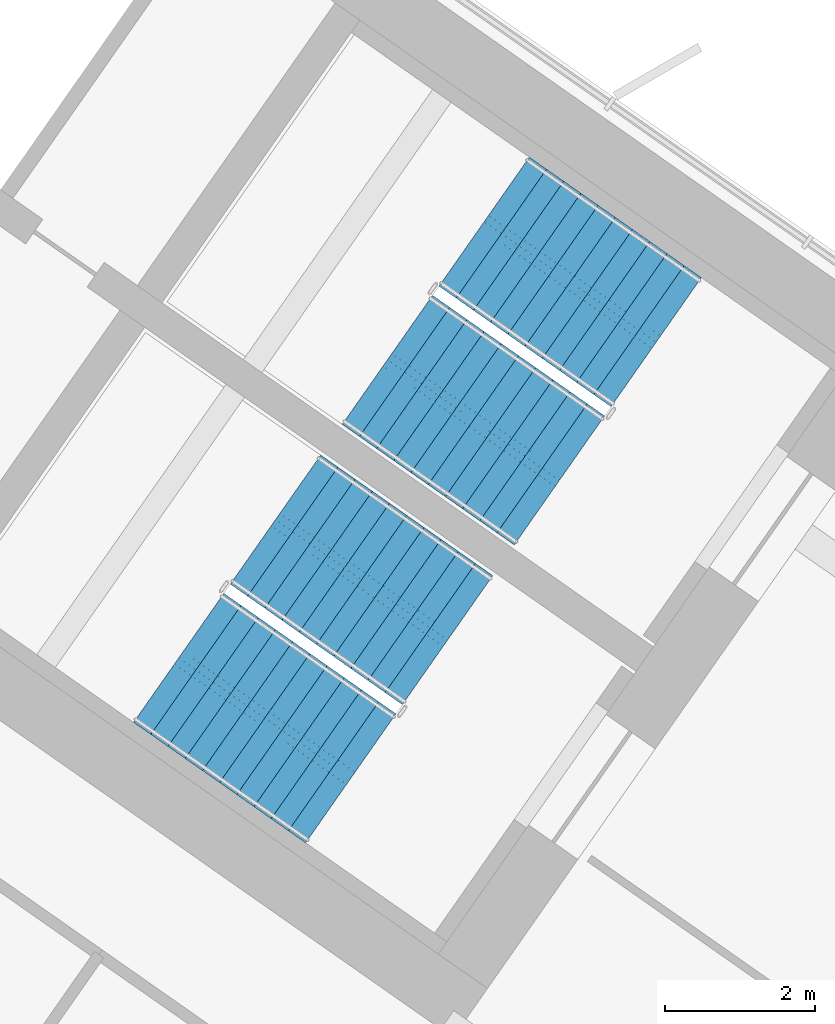
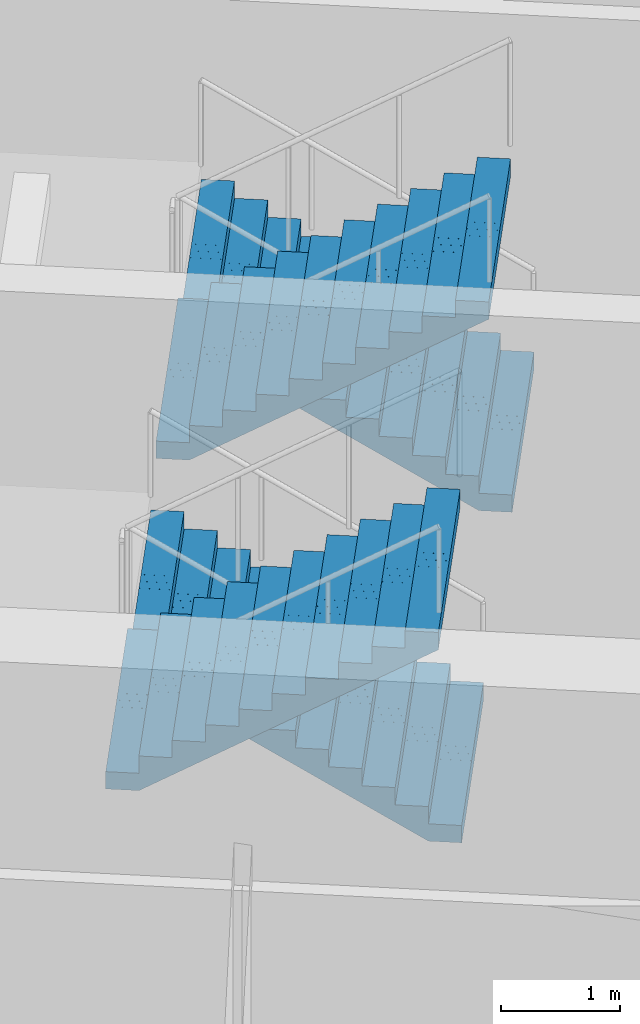
# One storey, part 16 of 21: 4 stair flights, 2 elements without a shape of their own.
"""IFC4 building model written with IfcOpenShell, lengths in metres."""

from ifc_helpers import new_model, si_unit, direction, frame, origin, place, context, subcontext, project, spatial, polyline, outline, extrude, material, type_object, element, aggregate, save


model = new_model("IFC4")

# Units and contexts
model_context = context("Model", 3, precision=1e-05, world=origin(), true_north=direction((0.0, 1.0)))
body_context = subcontext(model_context, "Body", "Model", "MODEL_VIEW")
ifc_project = project(units=[si_unit("LENGTHUNIT", "METRE"), si_unit("AREAUNIT", "SQUARE_METRE"), si_unit("VOLUMEUNIT", "CUBIC_METRE"), si_unit("PLANEANGLEUNIT", "RADIAN"), si_unit("MASSUNIT", "GRAM", prefix="KILO")], contexts=[model_context])

# Site, building, storey
site_placement = place(None, origin())
site = spatial("IfcSite", under=ifc_project, at=site_placement, CompositionType="ELEMENT")
building_placement = place(site_placement, origin())
building = spatial("IfcBuilding", under=site, at=building_placement, Name="Tel Ilan Convention Tower", CompositionType="ELEMENT")
storey_placement = place(building_placement, frame((0.0, 0.0, 139.800048828125)))
storey = spatial("IfcBuildingStorey", under=building, at=storey_placement, Name="L31", CompositionType="ELEMENT", Elevation=139.800048828125)

# Stair, stair flights
ifc_material_1 = material(Name="Concrete C40/50", Category="concrete")
stair_type = type_object("IfcStairType", Name="Pressurised Exit Stair 22 risers 177 mm", PredefinedType="HALF_TURN_STAIR", material=ifc_material_1)
stair_1_placement = place(storey_placement, origin())
stair_1 = element("IfcStair", 1, at=stair_1_placement, inside=storey, type_object=stair_type, Name="L31 Pressurised Stair S3", PredefinedType="HALF_TURN_STAIR")
ifc_material_2 = material(Name="Precast Concrete C40/50", Category="concrete")
stair_flight_type = type_object("IfcStairFlightType", Name="Concrete Stair Flight 2100 mm 22 risers 177 mm", PredefinedType="STRAIGHT", material=ifc_material_2)
stair_flight_1_placement = place(storey_placement, frame((24.25244140625, -7.032470703125, 0.0), z_axis=(0.0, 0.0, 1.0), x_axis=(-0.819152044289, 0.573576436351, 0.0)))
stair_flight_1 = element("IfcStairFlight", 2, at=stair_flight_1_placement, type_object=stair_flight_type, Name="S3 flight 1", NumberOfRisers=11, NumberOfTreads=10, PredefinedType="STRAIGHT", RiserHeight=0.177272727, TreadLength=0.28, context=body_context, shape_type="SweptSolid", body=[
    extrude(outline(polyline([(0.0, 0.0), (0.0, 0.17724609375), (0.280029296875, 0.17724609375), (0.280029296875, 0.3544921875), (0.56005859375, 0.3544921875), (0.56005859375, 0.53173828125), (0.840087890625, 0.53173828125), (0.840087890625, 0.708984375), (1.1201171875, 0.708984375), (1.1201171875, 0.886474609375), (1.39990234375, 0.886474609375), (1.39990234375, 1.063720703125), (1.679931640625, 1.063720703125), (1.679931640625, 1.240966796875), (1.9599609375, 1.240966796875), (1.9599609375, 1.418212890625), (2.239990234375, 1.418212890625), (2.239990234375, 1.595458984375), (2.52001953125, 1.595458984375), (2.52001953125, 1.772705078125), (2.800048828125, 1.772705078125), (2.800048828125, 1.949951171875), (2.800048828125, 1.59521484375), (0.2802734375, 0.0), (0.0, 0.0)])), frame((0.0, -0.100341796875, 0.0), z_axis=(0.0, -1.0, 0.0), x_axis=(1.0, 0.0, 0.0)), (0.0, 0.0, 1.0), 0.94970703125),
    extrude(outline(polyline([(0.0, 0.0), (0.0, 0.17724609375), (0.280029296875, 0.17724609375), (0.280029296875, 0.3544921875), (0.56005859375, 0.3544921875), (0.56005859375, 0.53173828125), (0.840087890625, 0.53173828125), (0.840087890625, 0.708984375), (1.1201171875, 0.708984375), (1.1201171875, 0.886474609375), (1.39990234375, 0.886474609375), (1.39990234375, 1.063720703125), (1.679931640625, 1.063720703125), (1.679931640625, 1.240966796875), (1.9599609375, 1.240966796875), (1.9599609375, 1.418212890625), (2.239990234375, 1.418212890625), (2.239990234375, 1.595458984375), (2.52001953125, 1.595458984375), (2.52001953125, 1.772705078125), (2.800048828125, 1.772705078125), (2.800048828125, 1.949951171875), (2.800048828125, 1.59521484375), (0.2802734375, 0.0), (0.0, 0.0)])), frame((0.0, -0.000244140625, 0.0), z_axis=(0.0, -1.0, 0.0), x_axis=(1.0, 0.0, 0.0)), (0.0, 0.0, 1.0), 0.099609375),
    extrude(outline(polyline([(0.0, 0.0), (0.0, 0.17724609375), (0.280029296875, 0.17724609375), (0.280029296875, 0.3544921875), (0.56005859375, 0.3544921875), (0.56005859375, 0.53173828125), (0.840087890625, 0.53173828125), (0.840087890625, 0.708984375), (1.1201171875, 0.708984375), (1.1201171875, 0.886474609375), (1.39990234375, 0.886474609375), (1.39990234375, 1.063720703125), (1.679931640625, 1.063720703125), (1.679931640625, 1.240966796875), (1.9599609375, 1.240966796875), (1.9599609375, 1.418212890625), (2.239990234375, 1.418212890625), (2.239990234375, 1.595458984375), (2.52001953125, 1.595458984375), (2.52001953125, 1.772705078125), (2.800048828125, 1.772705078125), (2.800048828125, 1.949951171875), (2.800048828125, 1.59521484375), (0.2802734375, 0.0), (0.0, 0.0)])), frame((0.0, 0.099853515625, 0.0), z_axis=(0.0, -1.0, 0.0), x_axis=(1.0, 0.0, 0.0)), (0.0, 0.0, 1.0), 0.099609375),
    extrude(outline(polyline([(0.0, 0.0), (0.0, 0.17724609375), (0.280029296875, 0.17724609375), (0.280029296875, 0.3544921875), (0.56005859375, 0.3544921875), (0.56005859375, 0.53173828125), (0.840087890625, 0.53173828125), (0.840087890625, 0.708984375), (1.1201171875, 0.708984375), (1.1201171875, 0.886474609375), (1.39990234375, 0.886474609375), (1.39990234375, 1.063720703125), (1.679931640625, 1.063720703125), (1.679931640625, 1.240966796875), (1.9599609375, 1.240966796875), (1.9599609375, 1.418212890625), (2.239990234375, 1.418212890625), (2.239990234375, 1.595458984375), (2.52001953125, 1.595458984375), (2.52001953125, 1.772705078125), (2.800048828125, 1.772705078125), (2.800048828125, 1.949951171875), (2.800048828125, 1.59521484375), (0.2802734375, 0.0), (0.0, 0.0)])), frame((0.0, 1.050048828125, 0.0), z_axis=(0.0, -1.0, 0.0), x_axis=(1.0, 0.0, 0.0)), (0.0, 0.0, 1.0), 0.94970703125),
])
stair_flight_2_placement = place(storey_placement, frame((20.668212890625, -7.26953125, 1.949951171875), z_axis=(0.0, 0.0, 1.0), x_axis=(0.819152044289, -0.573576436351, 0.0)))
stair_flight_2 = element("IfcStairFlight", 3, at=stair_flight_2_placement, type_object=stair_flight_type, Name="S3 flight 2", NumberOfRisers=11, NumberOfTreads=10, PredefinedType="STRAIGHT", RiserHeight=0.177272727, TreadLength=0.28, context=body_context, shape_type="SweptSolid", body=[
    extrude(outline(polyline([(0.0, 0.0), (0.0, 0.17724609375), (0.280029296875, 0.17724609375), (0.280029296875, 0.3544921875), (0.56005859375, 0.3544921875), (0.56005859375, 0.53173828125), (0.840087890625, 0.53173828125), (0.840087890625, 0.708984375), (1.1201171875, 0.708984375), (1.1201171875, 0.886474609375), (1.39990234375, 0.886474609375), (1.39990234375, 1.063720703125), (1.679931640625, 1.063720703125), (1.679931640625, 1.240966796875), (1.9599609375, 1.240966796875), (1.9599609375, 1.418212890625), (2.239990234375, 1.418212890625), (2.239990234375, 1.595458984375), (2.52001953125, 1.595458984375), (2.52001953125, 1.772705078125), (2.800048828125, 1.772705078125), (2.800048828125, 1.949951171875), (2.800048828125, 1.59521484375), (0.2802734375, 0.0), (0.0, 0.0)])), frame((0.0, -0.100341796875, 0.0), z_axis=(0.0, -1.0, 0.0), x_axis=(1.0, 0.0, 0.0)), (0.0, 0.0, 1.0), 0.94970703125),
    extrude(outline(polyline([(0.0, 0.0), (0.0, 0.17724609375), (0.280029296875, 0.17724609375), (0.280029296875, 0.3544921875), (0.56005859375, 0.3544921875), (0.56005859375, 0.53173828125), (0.840087890625, 0.53173828125), (0.840087890625, 0.708984375), (1.1201171875, 0.708984375), (1.1201171875, 0.886474609375), (1.39990234375, 0.886474609375), (1.39990234375, 1.063720703125), (1.679931640625, 1.063720703125), (1.679931640625, 1.240966796875), (1.9599609375, 1.240966796875), (1.9599609375, 1.418212890625), (2.239990234375, 1.418212890625), (2.239990234375, 1.595458984375), (2.52001953125, 1.595458984375), (2.52001953125, 1.772705078125), (2.800048828125, 1.772705078125), (2.800048828125, 1.949951171875), (2.800048828125, 1.59521484375), (0.2802734375, 0.0), (0.0, 0.0)])), frame((0.0, -0.000244140625, 0.0), z_axis=(0.0, -1.0, 0.0), x_axis=(1.0, 0.0, 0.0)), (0.0, 0.0, 1.0), 0.099609375),
    extrude(outline(polyline([(0.0, 0.0), (0.0, 0.17724609375), (0.280029296875, 0.17724609375), (0.280029296875, 0.3544921875), (0.56005859375, 0.3544921875), (0.56005859375, 0.53173828125), (0.840087890625, 0.53173828125), (0.840087890625, 0.708984375), (1.1201171875, 0.708984375), (1.1201171875, 0.886474609375), (1.39990234375, 0.886474609375), (1.39990234375, 1.063720703125), (1.679931640625, 1.063720703125), (1.679931640625, 1.240966796875), (1.9599609375, 1.240966796875), (1.9599609375, 1.418212890625), (2.239990234375, 1.418212890625), (2.239990234375, 1.595458984375), (2.52001953125, 1.595458984375), (2.52001953125, 1.772705078125), (2.800048828125, 1.772705078125), (2.800048828125, 1.949951171875), (2.800048828125, 1.59521484375), (0.2802734375, 0.0), (0.0, 0.0)])), frame((0.0, 0.099853515625, 0.0), z_axis=(0.0, -1.0, 0.0), x_axis=(1.0, 0.0, 0.0)), (0.0, 0.0, 1.0), 0.099609375),
    extrude(outline(polyline([(0.0, 0.0), (0.0, 0.17724609375), (0.280029296875, 0.17724609375), (0.280029296875, 0.3544921875), (0.56005859375, 0.3544921875), (0.56005859375, 0.53173828125), (0.840087890625, 0.53173828125), (0.840087890625, 0.708984375), (1.1201171875, 0.708984375), (1.1201171875, 0.886474609375), (1.39990234375, 0.886474609375), (1.39990234375, 1.063720703125), (1.679931640625, 1.063720703125), (1.679931640625, 1.240966796875), (1.9599609375, 1.240966796875), (1.9599609375, 1.418212890625), (2.239990234375, 1.418212890625), (2.239990234375, 1.595458984375), (2.52001953125, 1.595458984375), (2.52001953125, 1.772705078125), (2.800048828125, 1.772705078125), (2.800048828125, 1.949951171875), (2.800048828125, 1.59521484375), (0.2802734375, 0.0), (0.0, 0.0)])), frame((0.0, 1.050048828125, 0.0), z_axis=(0.0, -1.0, 0.0), x_axis=(1.0, 0.0, 0.0)), (0.0, 0.0, 1.0), 0.94970703125),
])
aggregate(stair_1, [stair_flight_1, stair_flight_2])

stair_2_placement = place(storey_placement, origin())
stair_2 = element("IfcStair", 4, at=stair_2_placement, inside=storey, type_object=stair_type, Name="L31 Pressurised Stair S4", PredefinedType="HALF_TURN_STAIR")
stair_flight_3_placement = place(storey_placement, frame((21.470458984375, -11.00537109375, 0.0), z_axis=(0.0, 0.0, 1.0), x_axis=(-0.819152044289, 0.573576436351, 0.0)))
stair_flight_3 = element("IfcStairFlight", 5, at=stair_flight_3_placement, type_object=stair_flight_type, Name="S4 flight 1", NumberOfRisers=11, NumberOfTreads=10, PredefinedType="STRAIGHT", RiserHeight=0.177272727, TreadLength=0.28, context=body_context, shape_type="SweptSolid", body=[
    extrude(outline(polyline([(0.0, 0.0), (0.0, 0.17724609375), (0.280029296875, 0.17724609375), (0.280029296875, 0.3544921875), (0.56005859375, 0.3544921875), (0.56005859375, 0.53173828125), (0.840087890625, 0.53173828125), (0.840087890625, 0.708984375), (1.1201171875, 0.708984375), (1.1201171875, 0.886474609375), (1.39990234375, 0.886474609375), (1.39990234375, 1.063720703125), (1.679931640625, 1.063720703125), (1.679931640625, 1.240966796875), (1.9599609375, 1.240966796875), (1.9599609375, 1.418212890625), (2.239990234375, 1.418212890625), (2.239990234375, 1.595458984375), (2.52001953125, 1.595458984375), (2.52001953125, 1.772705078125), (2.800048828125, 1.772705078125), (2.800048828125, 1.949951171875), (2.800048828125, 1.59521484375), (0.2802734375, 0.0), (0.0, 0.0)])), frame((0.0, -0.100341796875, 0.0), z_axis=(0.0, -1.0, 0.0), x_axis=(1.0, 0.0, 0.0)), (0.0, 0.0, 1.0), 0.94970703125),
    extrude(outline(polyline([(0.0, 0.0), (0.0, 0.17724609375), (0.280029296875, 0.17724609375), (0.280029296875, 0.3544921875), (0.56005859375, 0.3544921875), (0.56005859375, 0.53173828125), (0.840087890625, 0.53173828125), (0.840087890625, 0.708984375), (1.1201171875, 0.708984375), (1.1201171875, 0.886474609375), (1.39990234375, 0.886474609375), (1.39990234375, 1.063720703125), (1.679931640625, 1.063720703125), (1.679931640625, 1.240966796875), (1.9599609375, 1.240966796875), (1.9599609375, 1.418212890625), (2.239990234375, 1.418212890625), (2.239990234375, 1.595458984375), (2.52001953125, 1.595458984375), (2.52001953125, 1.772705078125), (2.800048828125, 1.772705078125), (2.800048828125, 1.949951171875), (2.800048828125, 1.59521484375), (0.2802734375, 0.0), (0.0, 0.0)])), frame((0.0, -0.000244140625, 0.0), z_axis=(0.0, -1.0, 0.0), x_axis=(1.0, 0.0, 0.0)), (0.0, 0.0, 1.0), 0.099609375),
    extrude(outline(polyline([(0.0, 0.0), (0.0, 0.17724609375), (0.280029296875, 0.17724609375), (0.280029296875, 0.3544921875), (0.56005859375, 0.3544921875), (0.56005859375, 0.53173828125), (0.840087890625, 0.53173828125), (0.840087890625, 0.708984375), (1.1201171875, 0.708984375), (1.1201171875, 0.886474609375), (1.39990234375, 0.886474609375), (1.39990234375, 1.063720703125), (1.679931640625, 1.063720703125), (1.679931640625, 1.240966796875), (1.9599609375, 1.240966796875), (1.9599609375, 1.418212890625), (2.239990234375, 1.418212890625), (2.239990234375, 1.595458984375), (2.52001953125, 1.595458984375), (2.52001953125, 1.772705078125), (2.800048828125, 1.772705078125), (2.800048828125, 1.949951171875), (2.800048828125, 1.59521484375), (0.2802734375, 0.0), (0.0, 0.0)])), frame((0.0, 0.099853515625, 0.0), z_axis=(0.0, -1.0, 0.0), x_axis=(1.0, 0.0, 0.0)), (0.0, 0.0, 1.0), 0.099609375),
    extrude(outline(polyline([(0.0, 0.0), (0.0, 0.17724609375), (0.280029296875, 0.17724609375), (0.280029296875, 0.3544921875), (0.56005859375, 0.3544921875), (0.56005859375, 0.53173828125), (0.840087890625, 0.53173828125), (0.840087890625, 0.708984375), (1.1201171875, 0.708984375), (1.1201171875, 0.886474609375), (1.39990234375, 0.886474609375), (1.39990234375, 1.063720703125), (1.679931640625, 1.063720703125), (1.679931640625, 1.240966796875), (1.9599609375, 1.240966796875), (1.9599609375, 1.418212890625), (2.239990234375, 1.418212890625), (2.239990234375, 1.595458984375), (2.52001953125, 1.595458984375), (2.52001953125, 1.772705078125), (2.800048828125, 1.772705078125), (2.800048828125, 1.949951171875), (2.800048828125, 1.59521484375), (0.2802734375, 0.0), (0.0, 0.0)])), frame((0.0, 1.050048828125, 0.0), z_axis=(0.0, -1.0, 0.0), x_axis=(1.0, 0.0, 0.0)), (0.0, 0.0, 1.0), 0.94970703125),
])
stair_flight_4_placement = place(storey_placement, frame((17.886474609375, -11.242431640625, 1.949951171875), z_axis=(0.0, 0.0, 1.0), x_axis=(0.819152044289, -0.573576436351, 0.0)))
stair_flight_4 = element("IfcStairFlight", 6, at=stair_flight_4_placement, type_object=stair_flight_type, Name="S4 flight 2", NumberOfRisers=11, NumberOfTreads=10, PredefinedType="STRAIGHT", RiserHeight=0.177272727, TreadLength=0.28, context=body_context, shape_type="SweptSolid", body=[
    extrude(outline(polyline([(0.0, 0.0), (0.0, 0.17724609375), (0.280029296875, 0.17724609375), (0.280029296875, 0.3544921875), (0.56005859375, 0.3544921875), (0.56005859375, 0.53173828125), (0.840087890625, 0.53173828125), (0.840087890625, 0.708984375), (1.1201171875, 0.708984375), (1.1201171875, 0.886474609375), (1.39990234375, 0.886474609375), (1.39990234375, 1.063720703125), (1.679931640625, 1.063720703125), (1.679931640625, 1.240966796875), (1.9599609375, 1.240966796875), (1.9599609375, 1.418212890625), (2.239990234375, 1.418212890625), (2.239990234375, 1.595458984375), (2.52001953125, 1.595458984375), (2.52001953125, 1.772705078125), (2.800048828125, 1.772705078125), (2.800048828125, 1.949951171875), (2.800048828125, 1.59521484375), (0.2802734375, 0.0), (0.0, 0.0)])), frame((0.0, -0.100341796875, 0.0), z_axis=(0.0, -1.0, 0.0), x_axis=(1.0, 0.0, 0.0)), (0.0, 0.0, 1.0), 0.94970703125),
    extrude(outline(polyline([(0.0, 0.0), (0.0, 0.17724609375), (0.280029296875, 0.17724609375), (0.280029296875, 0.3544921875), (0.56005859375, 0.3544921875), (0.56005859375, 0.53173828125), (0.840087890625, 0.53173828125), (0.840087890625, 0.708984375), (1.1201171875, 0.708984375), (1.1201171875, 0.886474609375), (1.39990234375, 0.886474609375), (1.39990234375, 1.063720703125), (1.679931640625, 1.063720703125), (1.679931640625, 1.240966796875), (1.9599609375, 1.240966796875), (1.9599609375, 1.418212890625), (2.239990234375, 1.418212890625), (2.239990234375, 1.595458984375), (2.52001953125, 1.595458984375), (2.52001953125, 1.772705078125), (2.800048828125, 1.772705078125), (2.800048828125, 1.949951171875), (2.800048828125, 1.59521484375), (0.2802734375, 0.0), (0.0, 0.0)])), frame((0.0, -0.000244140625, 0.0), z_axis=(0.0, -1.0, 0.0), x_axis=(1.0, 0.0, 0.0)), (0.0, 0.0, 1.0), 0.099609375),
    extrude(outline(polyline([(0.0, 0.0), (0.0, 0.17724609375), (0.280029296875, 0.17724609375), (0.280029296875, 0.3544921875), (0.56005859375, 0.3544921875), (0.56005859375, 0.53173828125), (0.840087890625, 0.53173828125), (0.840087890625, 0.708984375), (1.1201171875, 0.708984375), (1.1201171875, 0.886474609375), (1.39990234375, 0.886474609375), (1.39990234375, 1.063720703125), (1.679931640625, 1.063720703125), (1.679931640625, 1.240966796875), (1.9599609375, 1.240966796875), (1.9599609375, 1.418212890625), (2.239990234375, 1.418212890625), (2.239990234375, 1.595458984375), (2.52001953125, 1.595458984375), (2.52001953125, 1.772705078125), (2.800048828125, 1.772705078125), (2.800048828125, 1.949951171875), (2.800048828125, 1.59521484375), (0.2802734375, 0.0), (0.0, 0.0)])), frame((0.0, 0.099853515625, 0.0), z_axis=(0.0, -1.0, 0.0), x_axis=(1.0, 0.0, 0.0)), (0.0, 0.0, 1.0), 0.099609375),
    extrude(outline(polyline([(0.0, 0.0), (0.0, 0.17724609375), (0.280029296875, 0.17724609375), (0.280029296875, 0.3544921875), (0.56005859375, 0.3544921875), (0.56005859375, 0.53173828125), (0.840087890625, 0.53173828125), (0.840087890625, 0.708984375), (1.1201171875, 0.708984375), (1.1201171875, 0.886474609375), (1.39990234375, 0.886474609375), (1.39990234375, 1.063720703125), (1.679931640625, 1.063720703125), (1.679931640625, 1.240966796875), (1.9599609375, 1.240966796875), (1.9599609375, 1.418212890625), (2.239990234375, 1.418212890625), (2.239990234375, 1.595458984375), (2.52001953125, 1.595458984375), (2.52001953125, 1.772705078125), (2.800048828125, 1.772705078125), (2.800048828125, 1.949951171875), (2.800048828125, 1.59521484375), (0.2802734375, 0.0), (0.0, 0.0)])), frame((0.0, 1.050048828125, 0.0), z_axis=(0.0, -1.0, 0.0), x_axis=(1.0, 0.0, 0.0)), (0.0, 0.0, 1.0), 0.94970703125),
])
aggregate(stair_2, [stair_flight_3, stair_flight_4])

save(model, "model.ifc")
